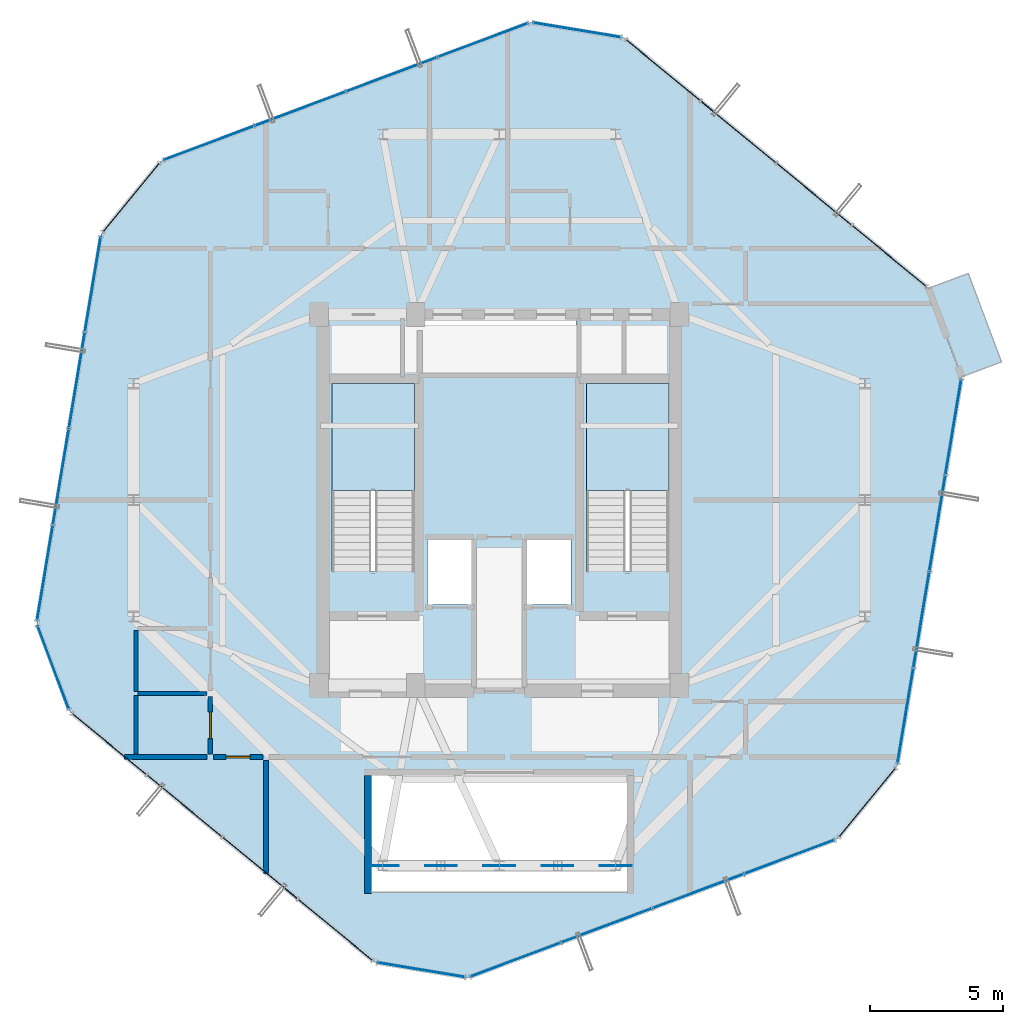
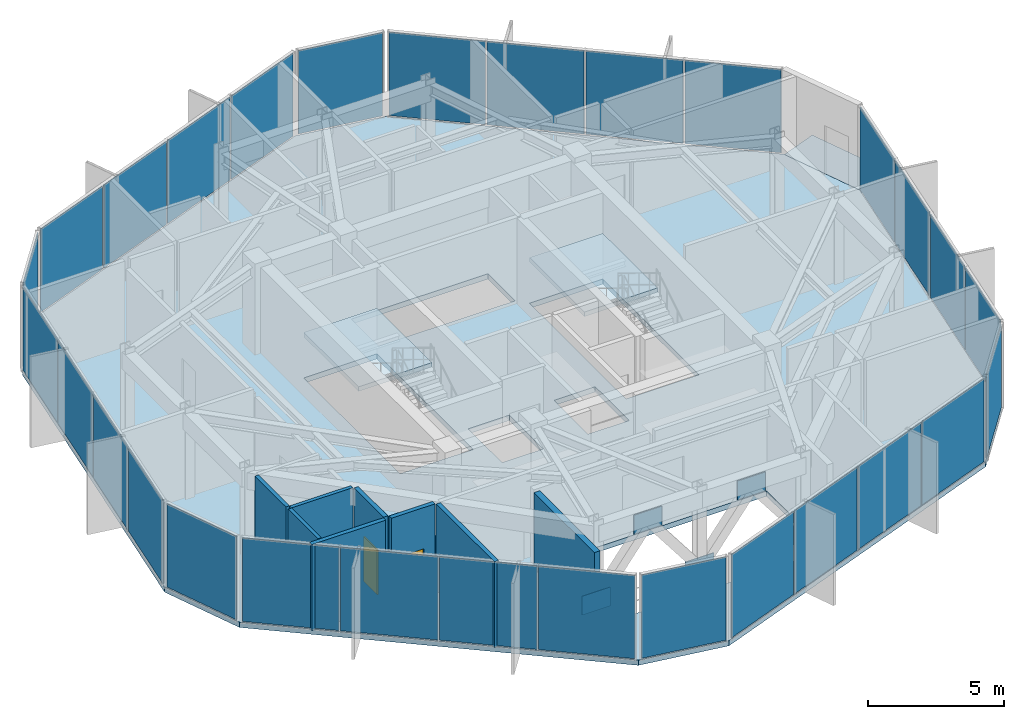
# One storey, part 17 of 22: 34 plates, 8 walls, 4 slabs, 2 doors, 2 openings, 13 elements without a shape of their own.
"""IFC4 building model written with IfcOpenShell, lengths in metres."""

from ifc_helpers import new_model, si_unit, direction, frame, frame_2d, origin, origin_2d, place, context, subcontext, project, spatial, polyline, rectangle, outline, extrude, source, transform, mapped, material, layer, layer_set, type_object, element, fill, aggregate, save


model = new_model("IFC4")

# Units and contexts
model_context = context("Model", 3, precision=1e-05, world=origin(), true_north=direction((0.0, 1.0)))
body_context = subcontext(model_context, "Body", "Model", "MODEL_VIEW")
ifc_project = project(units=[si_unit("LENGTHUNIT", "METRE"), si_unit("AREAUNIT", "SQUARE_METRE"), si_unit("VOLUMEUNIT", "CUBIC_METRE"), si_unit("PLANEANGLEUNIT", "RADIAN"), si_unit("MASSUNIT", "GRAM", prefix="KILO")], contexts=[model_context])

# Site, building, storey
site_placement = place(None, origin())
site = spatial("IfcSite", under=ifc_project, at=site_placement, CompositionType="ELEMENT")
building_placement = place(site_placement, origin())
building = spatial("IfcBuilding", under=site, at=building_placement, Name="Veraguas Prism Commons", CompositionType="ELEMENT")
storey_placement = place(building_placement, frame((0.0, 0.0, 240.64990234375)))
storey = spatial("IfcBuildingStorey", under=building, at=storey_placement, Name="L68", CompositionType="ELEMENT", Elevation=240.64990234375)

# Stair, slab
ifc_material_1 = material(Name="Precast concrete C45/55", Category="concrete")
stair_type = type_object("IfcStairType", Name="Dogleg Core Stair 1480W 24R 08", PredefinedType="HALF_TURN_STAIR", material=ifc_material_1)
stair_1_placement = place(storey_placement, origin())
stair_1 = element("IfcStair", 1, at=stair_1_placement, inside=storey, type_object=stair_type, Name="Protected Exit Stair ST-01 L68", PredefinedType="HALF_TURN_STAIR")
ifc_layer_1 = layer(ifc_material_1, 0.199951171875, Name="Precast Stair and Ramp Landing Slab 200", Category="concrete")
ifc_layer_set_1 = layer_set([ifc_layer_1], Name="Precast concrete C45/55")
slab_type_1 = type_object("IfcSlabType", Name="Precast Stair and Ramp Landing Slab 200", PredefinedType="LANDING", material=ifc_layer_set_1)
slab_1_placement = place(storey_placement, frame((0.0, 0.0, 1.85009765625)))
slab_1 = element("IfcSlab", 2, at=slab_1_placement, type_object=slab_type_1, Name="ST-08 Landing 1", PredefinedType="LANDING", context=body_context, shape_type="SweptSolid", body=[
    extrude(outline(polyline([(20.800048828125, 24.360107421875), (20.800048828125, 28.39990234375), (17.68994140625, 28.39990234375), (17.68994140625, 24.360107421875), (20.800048828125, 24.360107421875)])), origin(), (0.0, 0.0, 1.0), 0.199951171875),
])
aggregate(stair_1, [slab_1])

stair_2_placement = place(storey_placement, origin())
stair_2 = element("IfcStair", 3, at=stair_2_placement, inside=storey, type_object=stair_type, Name="Protected Exit Stair ST-02 L68", PredefinedType="HALF_TURN_STAIR")
slab_2_placement = place(storey_placement, frame((0.0, 0.0, 1.85009765625)))
slab_2 = element("IfcSlab", 4, at=slab_2_placement, type_object=slab_type_1, Name="ST-08 Landing 1", PredefinedType="LANDING", context=body_context, shape_type="SweptSolid", body=[
    extrude(outline(polyline([(30.39990234375, 24.360107421875), (30.39990234375, 28.39990234375), (27.2900390625, 28.39990234375), (27.2900390625, 24.360107421875), (30.39990234375, 24.360107421875)])), origin(), (0.0, 0.0, 1.0), 0.199951171875),
])
aggregate(stair_2, [slab_2])

# Slabs
ifc_material_2 = material(Name="Concrete C45/55", Category="concrete")
ifc_layer_2 = layer(ifc_material_2, 0.219970703125, Name="Recessed Loggia and Terrace Slab RC 220", Category="concrete")
ifc_layer_set_2 = layer_set([ifc_layer_2], Name="Concrete C45/55")
slab_type_2 = type_object("IfcSlabType", Name="Recessed Loggia and Terrace Slab RC 220", PredefinedType="FLOOR", material=ifc_layer_set_2)
slab_3_placement = place(storey_placement, frame((0.0, 0.0, -0.219970703125)))
element("IfcSlab", 5, at=slab_3_placement, inside=storey, type_object=slab_type_2, Name="Recessed Corner Loggia L68-C1", PredefinedType="FLOOR", context=body_context, shape_type="SweptSolid", body=[
    extrude(outline(polyline([(41.43212890625, 28.642578125), (42.94873046875, 29.212158203125), (41.696533203125, 32.54736328125), (40.179931640625, 31.977783203125), (41.43212890625, 28.642578125)])), origin(), (0.0, 0.0, 1.0), 0.219970703125),
])
ifc_layer_3 = layer(ifc_material_2, 0.235107421875, Name="Tower Upper Residential Floor Slab RC 235", Category="concrete")
ifc_layer_set_3 = layer_set([ifc_layer_3], Name="Concrete C45/55")
slab_type_3 = type_object("IfcSlabType", Name="Tower Upper Residential Floor Slab RC 235", PredefinedType="FLOOR", material=ifc_layer_set_3)
slab_4_placement = place(storey_placement, frame((0.0, 0.0, -0.23486328125)))
element("IfcSlab", 6, at=slab_4_placement, inside=storey, type_object=slab_type_3, Name="Tower Floor Slab L68", PredefinedType="FLOOR", context=body_context, shape_type="SweptSolid", body=[
    extrude(outline(polyline([(41.45068359375, 28.649658203125), (40.198486328125, 31.98486328125), (28.698486328125, 41.437744140625), (25.18408203125, 42.020751953125), (11.247802734375, 36.7880859375), (8.985595703125, 34.035888671875), (6.54931640625, 19.350341796875), (7.801513671875, 16.01513671875), (19.301513671875, 6.562255859375), (22.81591796875, 5.979248046875), (36.752197265625, 11.2119140625), (39.014404296875, 13.964111328125), (41.45068359375, 28.649658203125)]), holes=[polyline([(20.800048828125, 21.31005859375), (20.800048828125, 28.39990234375), (17.68994140625, 28.39990234375), (17.68994140625, 21.31005859375), (20.800048828125, 21.31005859375)]), polyline([(30.39990234375, 21.31005859375), (30.39990234375, 28.39990234375), (27.2900390625, 28.39990234375), (27.2900390625, 21.31005859375), (30.39990234375, 21.31005859375)]), polyline([(21.10009765625, 28.800048828125), (26.89990234375, 28.800048828125), (26.89990234375, 30.800048828125), (21.10009765625, 30.800048828125), (21.10009765625, 28.800048828125)]), polyline([(21.300048828125, 20.050048828125), (23.050048828125, 20.050048828125), (23.050048828125, 22.550048828125), (21.300048828125, 22.550048828125), (21.300048828125, 20.050048828125)]), polyline([(24.949951171875, 20.050048828125), (26.699951171875, 20.050048828125), (26.699951171875, 22.550048828125), (24.949951171875, 22.550048828125), (24.949951171875, 20.050048828125)]), polyline([(19.179931640625, 9.199951171875), (28.820068359375, 9.199951171875), (28.820068359375, 13.60009765625), (19.179931640625, 13.60009765625), (19.179931640625, 9.199951171875)])]), origin(), (0.0, 0.0, 1.0), 0.23486328125),
])

# Plates
ifc_material_3 = material(Name="Steel ASTM A572 Grade 50", Category="steel")
ifc_layer_4 = layer(ifc_material_3, 0.034912109375, Name="Crown and Portal Stiffener Plate 1200x850x35", Category="steel")
ifc_layer_set_4 = layer_set([ifc_layer_4], Name="Steel ASTM A572 Grade 50")
plate_type_1 = type_object("IfcPlateType", Name="Crown and Portal Stiffener Plate 1200x850x35", PredefinedType="USERDEFINED", material=ifc_layer_set_4)
shared_shape_1 = source(origin(), body_context, "Body", "SweptSolid", [
    extrude(rectangle(XDim=1.199951171875, YDim=0.034912109375, at=origin_2d()), origin(), (0.0, 0.0, 1.0), 0.85009765625),
])
for number, where, z_axis, x_axis, name in (
    (7, (21.800048828125, 10.199951171875, 2.7900390625), (0.0, 0.0, 1.0), (1.0, 0.0, 0.0), "Wind Portal Node Stiffener KN4-L68-01"),
    (8, (26.199951171875, 10.199951171875, 2.7900390625), (0.0, 0.0, 1.0), (1.0, 0.0, 0.0), "Wind Portal Node Stiffener KN4-L68-02"),
    (9, (19.60009765625, 10.199951171875, -0.074951171875), (0.0, 0.0, 1.0), (1.0, 0.0, 0.0), "Wind Portal Column Foot Stiffener L68-01"),
    (10, (24.0, 10.199951171875, -0.074951171875), (0.0, 0.0, 1.0), (1.0, 0.0, 0.0), "Wind Portal Column Foot Stiffener L68-02"),
    (11, (28.39990234375, 10.199951171875, -0.074951171875), (0.0, 0.0, 1.0), (1.0, 0.0, 0.0), "Wind Portal Column Foot Stiffener L68-03"),
):
    element("IfcPlate", number, at=place(storey_placement, frame(where, z_axis=z_axis, x_axis=x_axis)), inside=storey, type_object=plate_type_1, Name=name, ObjectType="STIFFENER PLATE", PredefinedType="USERDEFINED", context=body_context, shape_type="MappedRepresentation", body=[
        mapped(shared_shape_1, transform((0.0, 0.0, 0.0), scale=1.0)),
    ])

# Curtain wall, plates
ifc_material_4 = material(Name="Anodised aluminium EN AW-6063 T6", Category="aluminium")
ifc_layer_5 = layer(ifc_material_4, 0.199951171875, Name="Sky Lobby and Pool Acoustic Curtain Wall", Category="aluminium")
ifc_layer_set_5 = layer_set([ifc_layer_5], Name="Anodised aluminium EN AW-6063 T6")
curtain_wall_type = type_object("IfcCurtainWallType", Name="Sky Lobby and Pool Acoustic Curtain Wall", PredefinedType="NOTDEFINED", material=ifc_layer_set_5)
curtain_wall_1_placement = place(storey_placement, origin())
curtain_wall_1 = element("IfcCurtainWall", 12, at=curtain_wall_1_placement, inside=storey, type_object=curtain_wall_type, Name="Tower Facade Curtain Wall L68-F1", PredefinedType="NOTDEFINED")
ifc_material_5 = material(Name="Laminated low-e glass", Category="glass")
ifc_layer_6 = layer(ifc_material_5, 0.031982421875, Name="Concourse Acoustic Triple Glazed Panel 32", Category="glass")
ifc_layer_set_6 = layer_set([ifc_layer_6], Name="Laminated low-e glass")
plate_type_2 = type_object("IfcPlateType", Name="Concourse Acoustic Triple Glazed Panel 32", PredefinedType="CURTAIN_PANEL", material=ifc_layer_set_6)
shared_shape_2 = source(origin(), body_context, "Body", "SweptSolid", [
    extrude(rectangle(XDim=3.593994140625, YDim=0.031982421875, at=origin_2d()), origin(), (0.0, 0.0, 1.0), 3.7451171875),
])
plate_1_placement = place(storey_placement, frame((38.7138671875, 33.205322265625, 0.06005859375), z_axis=(0.0, 0.0, 1.0), x_axis=(-0.772514180242, 0.634997512849, 0.0)))
plate_1 = element("IfcPlate", 13, at=plate_1_placement, type_object=plate_type_2, Name="CW-SKY Panel 1.1", PredefinedType="CURTAIN_PANEL", context=body_context, shape_type="MappedRepresentation", body=[
    mapped(shared_shape_2, transform((0.0, 0.0, 0.0), scale=1.0)),
])
plate_2_placement = place(storey_placement, frame((30.183349609375, 40.21728515625, 0.06005859375), z_axis=(0.0, 0.0, 1.0), x_axis=(-0.772514180242, 0.634997512849, 0.0)))
plate_2 = element("IfcPlate", 14, at=plate_2_placement, type_object=plate_type_2, Name="CW-SKY Panel 4.1", PredefinedType="CURTAIN_PANEL", context=body_context, shape_type="MappedRepresentation", body=[
    mapped(shared_shape_2, transform((0.0, 0.0, 0.0), scale=1.0)),
])

curtain_wall_2_placement = place(storey_placement, origin())
curtain_wall_2 = element("IfcCurtainWall", 15, at=curtain_wall_2_placement, inside=storey, type_object=curtain_wall_type, Name="Tower Facade Curtain Wall L68-F2", PredefinedType="NOTDEFINED")
plate_3_placement = place(storey_placement, frame((23.384765625, 41.34521484375, 0.06005859375), z_axis=(0.0, 0.0, 1.0), x_axis=(-0.936182294613, -0.351514880558, 0.0)))
plate_3 = element("IfcPlate", 16, at=plate_3_placement, type_object=plate_type_2, Name="CW-SKY Panel 1.1", PredefinedType="CURTAIN_PANEL", context=body_context, shape_type="MappedRepresentation", body=[
    mapped(shared_shape_2, transform((0.0, 0.0, 0.0), scale=1.0)),
])
plate_4_placement = place(storey_placement, frame((13.047119140625, 37.463623046875, 0.06005859375), z_axis=(0.0, 0.0, 1.0), x_axis=(-0.936182294613, -0.351514880558, 0.0)))
plate_4 = element("IfcPlate", 17, at=plate_4_placement, type_object=plate_type_2, Name="CW-SKY Panel 4.1", PredefinedType="CURTAIN_PANEL", context=body_context, shape_type="MappedRepresentation", body=[
    mapped(shared_shape_2, transform((0.0, 0.0, 0.0), scale=1.0)),
])

curtain_wall_3_placement = place(storey_placement, origin())
curtain_wall_3 = element("IfcCurtainWall", 18, at=curtain_wall_3_placement, inside=storey, type_object=curtain_wall_type, Name="Tower Facade Curtain Wall L68-F3", PredefinedType="NOTDEFINED")
plate_5_placement = place(storey_placement, frame((8.671142578125, 32.1396484375, 0.06005859375), z_axis=(0.0, 0.0, 1.0), x_axis=(-0.163670330935, -0.986515089987, 0.0)))
plate_5 = element("IfcPlate", 19, at=plate_5_placement, type_object=plate_type_2, Name="CW-SKY Panel 1.1", PredefinedType="CURTAIN_PANEL", context=body_context, shape_type="MappedRepresentation", body=[
    mapped(shared_shape_2, transform((0.0, 0.0, 0.0), scale=1.0)),
])
plate_6_placement = place(storey_placement, frame((6.86376953125, 21.246337890625, 0.06005859375), z_axis=(0.0, 0.0, 1.0), x_axis=(-0.163670330935, -0.986515089987, 0.0)))
plate_6 = element("IfcPlate", 20, at=plate_6_placement, type_object=plate_type_2, Name="CW-SKY Panel 4.1", PredefinedType="CURTAIN_PANEL", context=body_context, shape_type="MappedRepresentation", body=[
    mapped(shared_shape_2, transform((0.0, 0.0, 0.0), scale=1.0)),
])

curtain_wall_4_placement = place(storey_placement, origin())
curtain_wall_4 = element("IfcCurtainWall", 21, at=curtain_wall_4_placement, inside=storey, type_object=curtain_wall_type, Name="Tower Facade Curtain Wall L68-F4", PredefinedType="NOTDEFINED")
plate_7_placement = place(storey_placement, frame((9.2861328125, 14.794677734375, 0.06005859375), z_axis=(0.0, 0.0, 1.0), x_axis=(0.772514180242, -0.634997512849, 0.0)))
plate_7 = element("IfcPlate", 22, at=plate_7_placement, type_object=plate_type_2, Name="CW-SKY Panel 1.1", PredefinedType="CURTAIN_PANEL", context=body_context, shape_type="MappedRepresentation", body=[
    mapped(shared_shape_2, transform((0.0, 0.0, 0.0), scale=1.0)),
])
plate_8_placement = place(storey_placement, frame((17.816650390625, 7.78271484375, 0.06005859375), z_axis=(0.0, 0.0, 1.0), x_axis=(0.772514180242, -0.634997512849, 0.0)))
plate_8 = element("IfcPlate", 23, at=plate_8_placement, type_object=plate_type_2, Name="CW-SKY Panel 4.1", PredefinedType="CURTAIN_PANEL", context=body_context, shape_type="MappedRepresentation", body=[
    mapped(shared_shape_2, transform((0.0, 0.0, 0.0), scale=1.0)),
])

curtain_wall_5_placement = place(storey_placement, origin())
curtain_wall_5 = element("IfcCurtainWall", 24, at=curtain_wall_5_placement, inside=storey, type_object=curtain_wall_type, Name="Tower Facade Curtain Wall L68-F5", PredefinedType="NOTDEFINED")
plate_9_placement = place(storey_placement, frame((24.615234375, 6.65478515625, 0.06005859375), z_axis=(0.0, 0.0, 1.0), x_axis=(0.936182294613, 0.351514880558, 0.0)))
plate_9 = element("IfcPlate", 25, at=plate_9_placement, type_object=plate_type_2, Name="CW-SKY Panel 1.1", PredefinedType="CURTAIN_PANEL", context=body_context, shape_type="MappedRepresentation", body=[
    mapped(shared_shape_2, transform((0.0, 0.0, 0.0), scale=1.0)),
])
plate_10_placement = place(storey_placement, frame((34.952880859375, 10.536376953125, 0.06005859375), z_axis=(0.0, 0.0, 1.0), x_axis=(0.936182294613, 0.351514880558, 0.0)))
plate_10 = element("IfcPlate", 26, at=plate_10_placement, type_object=plate_type_2, Name="CW-SKY Panel 4.1", PredefinedType="CURTAIN_PANEL", context=body_context, shape_type="MappedRepresentation", body=[
    mapped(shared_shape_2, transform((0.0, 0.0, 0.0), scale=1.0)),
])

curtain_wall_6_placement = place(storey_placement, origin())
curtain_wall_6 = element("IfcCurtainWall", 27, at=curtain_wall_6_placement, inside=storey, type_object=curtain_wall_type, Name="Tower Facade Curtain Wall L68-F6", PredefinedType="NOTDEFINED")
plate_11_placement = place(storey_placement, frame((39.328857421875, 15.8603515625, 0.06005859375), z_axis=(0.0, 0.0, 1.0), x_axis=(0.163670330935, 0.986515089987, 0.0)))
plate_11 = element("IfcPlate", 28, at=plate_11_placement, type_object=plate_type_2, Name="CW-SKY Panel 1.1", PredefinedType="CURTAIN_PANEL", context=body_context, shape_type="MappedRepresentation", body=[
    mapped(shared_shape_2, transform((0.0, 0.0, 0.0), scale=1.0)),
])
plate_12_placement = place(storey_placement, frame((41.13623046875, 26.753662109375, 0.06005859375), z_axis=(0.0, 0.0, 1.0), x_axis=(0.163670330935, 0.986515089987, 0.0)))
plate_12 = element("IfcPlate", 29, at=plate_12_placement, type_object=plate_type_2, Name="CW-SKY Panel 4.1", PredefinedType="CURTAIN_PANEL", context=body_context, shape_type="MappedRepresentation", body=[
    mapped(shared_shape_2, transform((0.0, 0.0, 0.0), scale=1.0)),
])

# Plate
shared_shape_3 = source(origin(), body_context, "Body", "SweptSolid", [
    extrude(rectangle(XDim=3.626708984375, YDim=0.031982421875, at=origin_2d()), origin(), (0.0, 0.0, 1.0), 3.7451171875),
])
plate_13_placement = place(storey_placement, frame((19.944091796875, 40.05322265625, 0.06005859375), z_axis=(0.0, 0.0, 1.0), x_axis=(-0.936182294613, -0.351514880558, 0.0)))
plate_13 = element("IfcPlate", 30, at=plate_13_placement, type_object=plate_type_2, Name="CW-SKY Panel 2.1", PredefinedType="CURTAIN_PANEL", context=body_context, shape_type="MappedRepresentation", body=[
    mapped(shared_shape_3, transform((0.0, 0.0, 0.0), scale=1.0)),
])

plate_14_placement = place(storey_placement, frame((16.488037109375, 38.755615234375, 0.06005859375), z_axis=(0.0, 0.0, 1.0), x_axis=(-0.936182294613, -0.351514880558, 0.0)))
plate_14 = element("IfcPlate", 31, at=plate_14_placement, type_object=plate_type_2, Name="CW-SKY Panel 3.1", PredefinedType="CURTAIN_PANEL", context=body_context, shape_type="MappedRepresentation", body=[
    mapped(shared_shape_3, transform((0.0, 0.0, 0.0), scale=1.0)),
])

aggregate(curtain_wall_2, [plate_3, plate_13, plate_14, plate_4])

plate_15_placement = place(storey_placement, frame((28.055908203125, 7.94677734375, 0.06005859375), z_axis=(0.0, 0.0, 1.0), x_axis=(0.936182294613, 0.351514880558, 0.0)))
plate_15 = element("IfcPlate", 32, at=plate_15_placement, type_object=plate_type_2, Name="CW-SKY Panel 2.1", PredefinedType="CURTAIN_PANEL", context=body_context, shape_type="MappedRepresentation", body=[
    mapped(shared_shape_3, transform((0.0, 0.0, 0.0), scale=1.0)),
])

plate_16_placement = place(storey_placement, frame((31.511962890625, 9.244384765625, 0.06005859375), z_axis=(0.0, 0.0, 1.0), x_axis=(0.936182294613, 0.351514880558, 0.0)))
plate_16 = element("IfcPlate", 33, at=plate_16_placement, type_object=plate_type_2, Name="CW-SKY Panel 3.1", PredefinedType="CURTAIN_PANEL", context=body_context, shape_type="MappedRepresentation", body=[
    mapped(shared_shape_3, transform((0.0, 0.0, 0.0), scale=1.0)),
])

aggregate(curtain_wall_5, [plate_9, plate_15, plate_16, plate_10])

shared_shape_4 = source(origin(), body_context, "Body", "SweptSolid", [
    extrude(rectangle(XDim=3.62646484375, YDim=0.031982421875, at=origin_2d()), origin(), (0.0, 0.0, 1.0), 3.7451171875),
])
plate_17_placement = place(storey_placement, frame((35.87451171875, 35.539306640625, 0.06005859375), z_axis=(0.0, 0.0, 1.0), x_axis=(-0.772514180242, 0.634997512849, 0.0)))
plate_17 = element("IfcPlate", 34, at=plate_17_placement, type_object=plate_type_2, Name="CW-SKY Panel 2.1", PredefinedType="CURTAIN_PANEL", context=body_context, shape_type="MappedRepresentation", body=[
    mapped(shared_shape_4, transform((0.0, 0.0, 0.0), scale=1.0)),
])

plate_18_placement = place(storey_placement, frame((33.022705078125, 37.88330078125, 0.06005859375), z_axis=(0.0, 0.0, 1.0), x_axis=(-0.772514180242, 0.634997512849, 0.0)))
plate_18 = element("IfcPlate", 35, at=plate_18_placement, type_object=plate_type_2, Name="CW-SKY Panel 3.1", PredefinedType="CURTAIN_PANEL", context=body_context, shape_type="MappedRepresentation", body=[
    mapped(shared_shape_4, transform((0.0, 0.0, 0.0), scale=1.0)),
])

aggregate(curtain_wall_1, [plate_1, plate_17, plate_18, plate_2])

plate_19_placement = place(storey_placement, frame((8.069580078125, 28.513916015625, 0.06005859375), z_axis=(0.0, 0.0, 1.0), x_axis=(-0.163670330935, -0.986515089987, 0.0)))
plate_19 = element("IfcPlate", 36, at=plate_19_placement, type_object=plate_type_2, Name="CW-SKY Panel 2.1", PredefinedType="CURTAIN_PANEL", context=body_context, shape_type="MappedRepresentation", body=[
    mapped(shared_shape_4, transform((0.0, 0.0, 0.0), scale=1.0)),
])

plate_20_placement = place(storey_placement, frame((7.46533203125, 24.872314453125, 0.06005859375), z_axis=(0.0, 0.0, 1.0), x_axis=(-0.163670330935, -0.986515089987, 0.0)))
plate_20 = element("IfcPlate", 37, at=plate_20_placement, type_object=plate_type_2, Name="CW-SKY Panel 3.1", PredefinedType="CURTAIN_PANEL", context=body_context, shape_type="MappedRepresentation", body=[
    mapped(shared_shape_4, transform((0.0, 0.0, 0.0), scale=1.0)),
])

aggregate(curtain_wall_3, [plate_5, plate_19, plate_20, plate_6])

plate_21_placement = place(storey_placement, frame((12.12548828125, 12.460693359375, 0.06005859375), z_axis=(0.0, 0.0, 1.0), x_axis=(0.772514180242, -0.634997512849, 0.0)))
plate_21 = element("IfcPlate", 38, at=plate_21_placement, type_object=plate_type_2, Name="CW-SKY Panel 2.1", PredefinedType="CURTAIN_PANEL", context=body_context, shape_type="MappedRepresentation", body=[
    mapped(shared_shape_4, transform((0.0, 0.0, 0.0), scale=1.0)),
])

plate_22_placement = place(storey_placement, frame((14.977294921875, 10.11669921875, 0.06005859375), z_axis=(0.0, 0.0, 1.0), x_axis=(0.772514180242, -0.634997512849, 0.0)))
plate_22 = element("IfcPlate", 39, at=plate_22_placement, type_object=plate_type_2, Name="CW-SKY Panel 3.1", PredefinedType="CURTAIN_PANEL", context=body_context, shape_type="MappedRepresentation", body=[
    mapped(shared_shape_4, transform((0.0, 0.0, 0.0), scale=1.0)),
])

aggregate(curtain_wall_4, [plate_7, plate_21, plate_22, plate_8])

plate_23_placement = place(storey_placement, frame((39.930419921875, 19.486083984375, 0.06005859375), z_axis=(0.0, 0.0, 1.0), x_axis=(0.163670330935, 0.986515089987, 0.0)))
plate_23 = element("IfcPlate", 40, at=plate_23_placement, type_object=plate_type_2, Name="CW-SKY Panel 2.1", PredefinedType="CURTAIN_PANEL", context=body_context, shape_type="MappedRepresentation", body=[
    mapped(shared_shape_4, transform((0.0, 0.0, 0.0), scale=1.0)),
])

plate_24_placement = place(storey_placement, frame((40.53466796875, 23.127685546875, 0.06005859375), z_axis=(0.0, 0.0, 1.0), x_axis=(0.163670330935, 0.986515089987, 0.0)))
plate_24 = element("IfcPlate", 41, at=plate_24_placement, type_object=plate_type_2, Name="CW-SKY Panel 3.1", PredefinedType="CURTAIN_PANEL", context=body_context, shape_type="MappedRepresentation", body=[
    mapped(shared_shape_4, transform((0.0, 0.0, 0.0), scale=1.0)),
])

aggregate(curtain_wall_6, [plate_11, plate_23, plate_24, plate_12])

# Curtain wall, plate
curtain_wall_7_placement = place(storey_placement, origin())
curtain_wall_7 = element("IfcCurtainWall", 42, at=curtain_wall_7_placement, inside=storey, type_object=curtain_wall_type, Name="Chamfer Curtain Wall L68-C2", PredefinedType="NOTDEFINED")
shared_shape_5 = source(origin(), body_context, "Body", "SweptSolid", [
    extrude(rectangle(XDim=3.3125, YDim=0.031982421875, at=origin_2d()), origin(), (0.0, 0.0, 1.0), 3.7451171875),
])
plate_25_placement = place(storey_placement, frame((26.94140625, 41.729248046875, 0.06005859375), z_axis=(0.0, 0.0, 1.0), x_axis=(-0.986511376171, 0.16369271421, 0.0)))
plate_25 = element("IfcPlate", 43, at=plate_25_placement, type_object=plate_type_2, Name="CW-SKY Panel 1.1", PredefinedType="CURTAIN_PANEL", context=body_context, shape_type="MappedRepresentation", body=[
    mapped(shared_shape_5, transform((0.0, 0.0, 0.0), scale=1.0)),
])
aggregate(curtain_wall_7, [plate_25])

curtain_wall_8_placement = place(storey_placement, origin())
curtain_wall_8 = element("IfcCurtainWall", 44, at=curtain_wall_8_placement, inside=storey, type_object=curtain_wall_type, Name="Chamfer Curtain Wall L68-C3", PredefinedType="NOTDEFINED")
plate_26_placement = place(storey_placement, frame((10.11669921875, 35.411865234375, 0.06005859375), z_axis=(0.0, 0.0, 1.0), x_axis=(-0.63501234394, -0.772501989023, 0.0)))
plate_26 = element("IfcPlate", 45, at=plate_26_placement, type_object=plate_type_2, Name="CW-SKY Panel 1.1", PredefinedType="CURTAIN_PANEL", context=body_context, shape_type="MappedRepresentation", body=[
    mapped(shared_shape_5, transform((0.0, 0.0, 0.0), scale=1.0)),
])
aggregate(curtain_wall_8, [plate_26])

curtain_wall_9_placement = place(storey_placement, origin())
curtain_wall_9 = element("IfcCurtainWall", 46, at=curtain_wall_9_placement, inside=storey, type_object=curtain_wall_type, Name="Chamfer Curtain Wall L68-C4", PredefinedType="NOTDEFINED")
plate_27_placement = place(storey_placement, frame((7.17529296875, 17.6826171875, 0.06005859375), z_axis=(0.0, 0.0, 1.0), x_axis=(0.351492005204, -0.936190883462, 0.0)))
plate_27 = element("IfcPlate", 47, at=plate_27_placement, type_object=plate_type_2, Name="CW-SKY Panel 1.1", PredefinedType="CURTAIN_PANEL", context=body_context, shape_type="MappedRepresentation", body=[
    mapped(shared_shape_5, transform((0.0, 0.0, 0.0), scale=1.0)),
])
aggregate(curtain_wall_9, [plate_27])

curtain_wall_10_placement = place(storey_placement, origin())
curtain_wall_10 = element("IfcCurtainWall", 48, at=curtain_wall_10_placement, inside=storey, type_object=curtain_wall_type, Name="Chamfer Curtain Wall L68-C5", PredefinedType="NOTDEFINED")
plate_28_placement = place(storey_placement, frame((21.05859375, 6.270751953125, 0.06005859375), z_axis=(0.0, 0.0, 1.0), x_axis=(0.986511376171, -0.16369271421, 0.0)))
plate_28 = element("IfcPlate", 49, at=plate_28_placement, type_object=plate_type_2, Name="CW-SKY Panel 1.1", PredefinedType="CURTAIN_PANEL", context=body_context, shape_type="MappedRepresentation", body=[
    mapped(shared_shape_5, transform((0.0, 0.0, 0.0), scale=1.0)),
])
aggregate(curtain_wall_10, [plate_28])

curtain_wall_11_placement = place(storey_placement, origin())
curtain_wall_11 = element("IfcCurtainWall", 50, at=curtain_wall_11_placement, inside=storey, type_object=curtain_wall_type, Name="Chamfer Curtain Wall L68-C6", PredefinedType="NOTDEFINED")
plate_29_placement = place(storey_placement, frame((37.88330078125, 12.588134765625, 0.06005859375), z_axis=(0.0, 0.0, 1.0), x_axis=(0.63501234394, 0.772501989023, 0.0)))
plate_29 = element("IfcPlate", 51, at=plate_29_placement, type_object=plate_type_2, Name="CW-SKY Panel 1.1", PredefinedType="CURTAIN_PANEL", context=body_context, shape_type="MappedRepresentation", body=[
    mapped(shared_shape_5, transform((0.0, 0.0, 0.0), scale=1.0)),
])
aggregate(curtain_wall_11, [plate_29])

# Walls
ifc_material_6 = material(Name="Autoclaved aerated masonry block 10 MPa", Category="masonry")
ifc_layer_7 = layer(ifc_material_6, 0.179931640625, Name="Corridor and Inter-Tenancy Partition 180", Category="masonry")
ifc_layer_set_7 = layer_set([ifc_layer_7], Name="Autoclaved aerated masonry block 10 MPa")
wall_type_1 = type_object("IfcWallType", Name="Corridor and Inter-Tenancy Partition 180", PredefinedType="PARTITIONING", material=ifc_layer_set_7)
wall_1_placement = place(storey_placement, frame((15.199951171875, 14.179931640625, 0.0), z_axis=(0.0, 0.0, 1.0), x_axis=(0.0, -1.0, 0.0)))
element("IfcWall", 52, at=wall_1_placement, inside=storey, type_object=wall_type_1, Name="WL-L68-PT001", PredefinedType="PARTITIONING", context=body_context, shape_type="SweptSolid", body=[
    extrude(rectangle(XDim=4.28515625, YDim=0.179931640625, at=frame_2d((2.142578125, 0.0))), origin(), (0.0, 0.0, 1.0), 3.864990234375),
])
wall_2_placement = place(storey_placement, frame((12.97998046875, 14.300048828125, 0.0), z_axis=(0.0, 0.0, 1.0), x_axis=(-1.0, 0.0, 0.0)))
element("IfcWall", 53, at=wall_2_placement, inside=storey, type_object=wall_type_1, Name="WL-L68-PT016", PredefinedType="PARTITIONING", context=body_context, shape_type="SweptSolid", body=[
    extrude(rectangle(XDim=3.13916015625, YDim=0.179931640625, at=frame_2d((1.569580078125, 0.0))), origin(), (0.0, 0.0, 1.0), 3.864990234375),
])

# Wall, opening, door
wall_3_placement = place(storey_placement, frame((13.10009765625, 14.409912109375, 0.0), z_axis=(0.0, 0.0, 1.0), x_axis=(0.0, 1.0, 0.0)))
wall_3 = element("IfcWall", 54, at=wall_3_placement, inside=storey, type_object=wall_type_1, Name="WL-L68-PT018", PredefinedType="PARTITIONING", context=body_context, shape_type="SweptSolid", body=[
    extrude(rectangle(XDim=2.18017578125, YDim=0.179931640625, at=frame_2d((1.090087890625, 0.0))), origin(), (0.0, 0.0, 1.0), 3.864990234375),
])
opening_1_placement = place(wall_3_placement, frame((0.590087890625, 0.0, 0.0)))
opening_1 = element("IfcOpeningElement", 55, at=opening_1_placement, cuts=wall_3, Name="Opening DR-13", PredefinedType="OPENING", context=body_context, shape_type="SweptSolid", body=[
    extrude(rectangle(XDim=1.0, YDim=2.010009765625, at=frame_2d((0.5, 1.0048828125))), frame((0.0, 0.099853515625, 0.0), z_axis=(0.0, -1.0, 0.0), x_axis=(1.0, 0.0, 0.0)), (0.0, 0.0, 1.0), 0.199951171875),
])
ifc_material_7 = material(Name="Steel fire-rated door assembly", Category="steel")
door_type_1 = type_object("IfcDoorType", Name="Core Accessible WC and Clinic Fire Door 1000x2010", OperationType="NOTDEFINED", PredefinedType="DOOR", material=ifc_material_7)
shared_shape_6 = source(origin(), body_context, "Body", "SweptSolid", [
    extrude(rectangle(XDim=1.0, YDim=2.010009765625, at=frame_2d((0.5, 1.0048828125))), frame((0.0, 0.02490234375, 0.0), z_axis=(0.0, -1.0, 0.0), x_axis=(1.0, 0.0, 0.0)), (0.0, 0.0, 1.0), 0.050048828125),
])
door_1_placement = place(opening_1_placement, origin())
door_1 = element("IfcDoor", 56, at=door_1_placement, inside=storey, type_object=door_type_1, Name="Public WC L68 Door", OperationType="SINGLE_SWING_RIGHT", OverallHeight=2.010009765625, OverallWidth=1.0, PredefinedType="DOOR", context=body_context, shape_type="MappedRepresentation", body=[
    mapped(shared_shape_6, transform((0.0, 0.0, 0.0), scale=1.0)),
])
fill(opening_1, door_1)

wall_4_placement = place(storey_placement, frame((13.219970703125, 14.300048828125, 0.0), z_axis=(0.0, 0.0, 1.0), x_axis=(1.0, 0.0, 0.0)))
wall_4 = element("IfcWall", 57, at=wall_4_placement, inside=storey, type_object=wall_type_1, Name="WL-L68-PT034", PredefinedType="PARTITIONING", context=body_context, shape_type="SweptSolid", body=[
    extrude(rectangle(XDim=1.860107421875, YDim=0.179931640625, at=frame_2d((0.93017578125, 0.0))), origin(), (0.0, 0.0, 1.0), 3.864990234375),
])
opening_2_placement = place(wall_4_placement, frame((0.47998046875, 0.0, 0.0)))
opening_2 = element("IfcOpeningElement", 58, at=opening_2_placement, cuts=wall_4, Name="Opening DR-14", PredefinedType="OPENING", context=body_context, shape_type="SweptSolid", body=[
    extrude(rectangle(XDim=0.89990234375, YDim=2.010009765625, at=frame_2d((0.449951171875, 1.0048828125))), frame((0.0, 0.099853515625, 0.0), z_axis=(0.0, -1.0, 0.0), x_axis=(1.0, 0.0, 0.0)), (0.0, 0.0, 1.0), 0.199951171875),
])
door_type_2 = type_object("IfcDoorType", Name="Core Service Room Fire Door 900x2010", OperationType="NOTDEFINED", PredefinedType="DOOR", material=ifc_material_7)
shared_shape_7 = source(origin(), body_context, "Body", "SweptSolid", [
    extrude(rectangle(XDim=0.89990234375, YDim=2.010009765625, at=frame_2d((0.449951171875, 1.0048828125))), frame((0.0, 0.02490234375, 0.0), z_axis=(0.0, -1.0, 0.0), x_axis=(1.0, 0.0, 0.0)), (0.0, 0.0, 1.0), 0.050048828125),
])
door_2_placement = place(opening_2_placement, origin())
door_2 = element("IfcDoor", 59, at=door_2_placement, inside=storey, type_object=door_type_2, Name="Shared Laundry Room SW Door", OperationType="SINGLE_SWING_RIGHT", OverallHeight=2.010009765625, OverallWidth=0.89990234375, PredefinedType="DOOR", context=body_context, shape_type="MappedRepresentation", body=[
    mapped(shared_shape_7, transform((0.0, 0.0, 0.0), scale=1.0)),
])
fill(opening_2, door_2)

# Walls
ifc_material_8 = material(Name="Precast concrete C40/50", Category="concrete")
ifc_layer_8 = layer(ifc_material_8, 0.25, Name="External Loggia and Portal Wall 250", Category="concrete")
ifc_layer_set_8 = layer_set([ifc_layer_8], Name="Precast concrete C40/50")
wall_type_2 = type_object("IfcWallType", Name="External Loggia and Portal Wall 250", PredefinedType="SOLIDWALL", material=ifc_layer_set_8)
wall_5_placement = place(storey_placement, frame((19.050048828125, 9.14990234375, 0.0), z_axis=(0.0, 0.0, 1.0), x_axis=(0.0, 1.0, 0.0)))
element("IfcWall", 60, at=wall_5_placement, inside=storey, type_object=wall_type_2, Name="Wind Portal Enclosure Wall L68-W", PredefinedType="SOLIDWALL", context=body_context, shape_type="SweptSolid", body=[
    extrude(rectangle(XDim=4.4501953125, YDim=0.25, at=frame_2d((2.22509765625, 0.0))), origin(), (0.0, 0.0, 1.0), 3.39306640625),
])
ifc_material_9 = material(Name="Lightweight acoustic gypsum board")
ifc_layer_9 = layer(ifc_material_9, 0.14990234375, Name="Wet Room and Clinic Acoustic Partition 150")
ifc_layer_set_9 = layer_set([ifc_layer_9], Name="Lightweight acoustic gypsum board")
wall_type_3 = type_object("IfcWallType", Name="Wet Room and Clinic Acoustic Partition 150", PredefinedType="PARTITIONING", material=ifc_layer_set_9)
wall_6_placement = place(storey_placement, frame((12.97998046875, 16.699951171875, 0.0), z_axis=(0.0, 0.0, 1.0), x_axis=(-1.0, 0.0, 0.0)))
element("IfcWall", 61, at=wall_6_placement, inside=storey, type_object=wall_type_3, Name="WL-L68-PT022", PredefinedType="PARTITIONING", context=body_context, shape_type="SweptSolid", body=[
    extrude(rectangle(XDim=2.60009765625, YDim=0.14990234375, at=frame_2d((1.300048828125, 0.0))), origin(), (0.0, 0.0, 1.0), 3.864990234375),
])
wall_7_placement = place(storey_placement, frame((10.300048828125, 14.419921875, 0.0), z_axis=(0.0, 0.0, 1.0), x_axis=(0.0, 1.0, 0.0)))
element("IfcWall", 62, at=wall_7_placement, inside=storey, type_object=wall_type_3, Name="WL-L68-PT024", PredefinedType="PARTITIONING", context=body_context, shape_type="SweptSolid", body=[
    extrude(rectangle(XDim=2.2001953125, YDim=0.14990234375, at=frame_2d((1.10009765625, 0.0))), origin(), (0.0, 0.0, 1.0), 3.864990234375),
])
wall_8_placement = place(storey_placement, frame((10.300048828125, 16.780029296875, 0.0), z_axis=(0.0, 0.0, 1.0), x_axis=(0.0, 1.0, 0.0)))
element("IfcWall", 63, at=wall_8_placement, inside=storey, type_object=wall_type_3, Name="WL-L68-PT025", PredefinedType="PARTITIONING", context=body_context, shape_type="SweptSolid", body=[
    extrude(rectangle(XDim=2.2900390625, YDim=0.14990234375, at=frame_2d((1.14501953125, 0.0))), origin(), (0.0, 0.0, 1.0), 3.864990234375),
])

save(model, "model.ifc")
